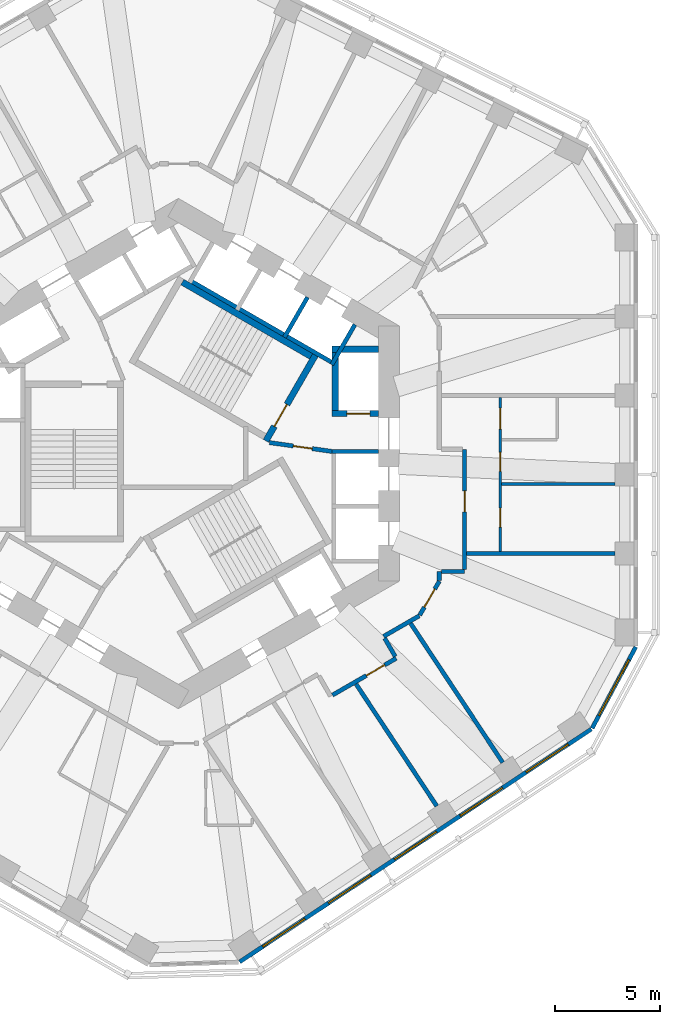
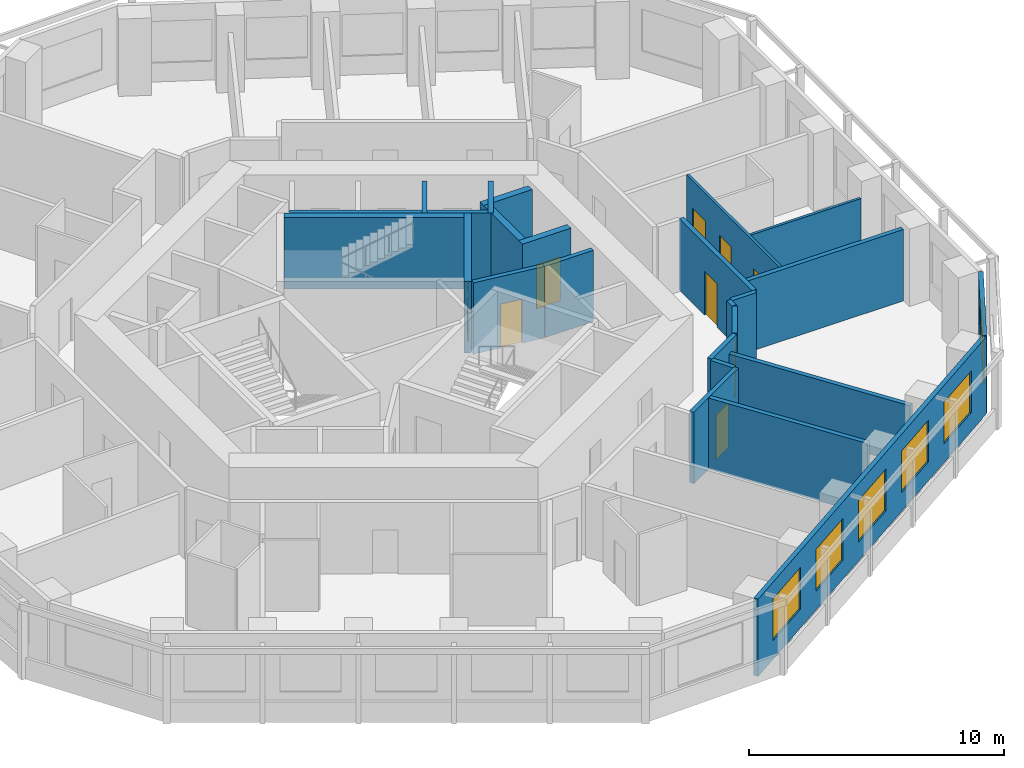
# One storey, part 6 of 11: 24 walls, 9 doors, 6 windows, 15 openings.
"""IFC4 building model written with IfcOpenShell, lengths in metres."""

import ifcopenshell
import ifcopenshell.guid

model = None  # the IFC model being written
_history = None  # IfcOwnerHistory: only IFC2X3 demands one
_inside = {}  # id of a spatial element -> (the spatial element, [elements in it])
_under = {}  # id of a project, library or spatial element -> (it, [spatial elements below it])
_declared = {}  # id of a project -> (the project, [libraries it declares])
_typed = {}  # id of a type object -> (the type object, [elements of that type])
_made_of = {}  # id of a material, layer set ... -> (it, [elements and type objects made of it])


def new_model(schema):
    """Start an empty IFC model of exactly this schema.

    Asked for "IFC4X3", IfcOpenShell would pick the latest addendum, in which some entities
    have other attributes; the version numbers below select the first issue.
    IFC2X3 requires an IfcOwnerHistory on every rooted entity: one is made here for all.
    """
    global model, _history
    if schema == "IFC4X3":
        model = ifcopenshell.file(schema_version=(4, 3, 0, 0))
    else:
        model = ifcopenshell.file(schema=schema)
    _inside.clear()
    _under.clear()
    _declared.clear()
    _typed.clear()
    _made_of.clear()
    _history = None
    if model.schema == "IFC2X3":
        org = make("IfcOrganization", Name="unknown")
        user = make(
            "IfcPersonAndOrganization",
            ThePerson=make("IfcPerson", FamilyName="unknown"),
            TheOrganization=org,
        )
        app = make(
            "IfcApplication",
            ApplicationDeveloper=org,
            Version="unknown",
            ApplicationFullName="unknown",
            ApplicationIdentifier="unknown",
        )
        _history = make(
            "IfcOwnerHistory",
            OwningUser=user,
            OwningApplication=app,
            ChangeAction="ADDED",
            CreationDate=0,
        )
    return model


def make(cls, **values):
    """One entity of the class cls with the attributes given. An attribute that is None is left unset."""
    return model.create_entity(
        cls, **{name: value for name, value in values.items() if value is not None}
    )


def rooted(cls, **values):
    """An entity with a GlobalId (a new one), such as an element, a storey or a relation."""
    return make(cls, GlobalId=ifcopenshell.guid.new(), OwnerHistory=_history, **values)


def si_unit(unit_type, name, prefix=None):
    """IfcSIUnit, for example si_unit("LENGTHUNIT", "METRE", prefix="MILLI")."""
    return make("IfcSIUnit", UnitType=unit_type, Prefix=prefix, Name=name)


def assignment(units):
    """IfcUnitAssignment: the units of a project."""
    return None if units is None else make("IfcUnitAssignment", Units=units)


def point(xyz):
    """IfcCartesianPoint."""
    return None if xyz is None else make("IfcCartesianPoint", Coordinates=xyz)


def direction(xyz):
    """IfcDirection."""
    return None if xyz is None else make("IfcDirection", DirectionRatios=xyz)


def frame(location, z_axis=None, x_axis=None):
    """IfcAxis2Placement3D, a coordinate frame: its origin and axes. An axis left out is left unset."""
    return make(
        "IfcAxis2Placement3D",
        Location=point(location),
        Axis=direction(z_axis),
        RefDirection=direction(x_axis),
    )


def frame_2d(location, x_axis=None):
    """IfcAxis2Placement2D, a coordinate frame in the plane: its origin and x axis."""
    return make(
        "IfcAxis2Placement2D", Location=point(location), RefDirection=direction(x_axis)
    )


def origin():
    """The frame at (0, 0, 0) with its axes left unset."""
    return frame((0.0, 0.0, 0.0))


def place(relative_to, where):
    """IfcLocalPlacement: puts the frame where relative to a parent placement (None: the world)."""
    return make(
        "IfcLocalPlacement", PlacementRelTo=relative_to, RelativePlacement=where
    )


def context(
    kind, dimensions, precision=None, world=None, true_north=None, identifier=None
):
    """IfcGeometricRepresentationContext, for example the 3D "Model" context."""
    return make(
        "IfcGeometricRepresentationContext",
        ContextIdentifier=identifier,
        ContextType=kind,
        CoordinateSpaceDimension=dimensions,
        Precision=precision,
        WorldCoordinateSystem=world,
        TrueNorth=true_north,
    )


def subcontext(parent, identifier, kind, view, scale=None):
    """IfcGeometricRepresentationSubContext, for example "Body" below "Model"."""
    return make(
        "IfcGeometricRepresentationSubContext",
        ContextIdentifier=identifier,
        ContextType=kind,
        ParentContext=parent,
        TargetScale=scale,
        TargetView=view,
    )


def project(units=None, contexts=None):
    """IfcProject with its units and contexts."""
    return rooted(
        "IfcProject",
        Name="project",
        RepresentationContexts=contexts,
        UnitsInContext=assignment(units),
    )


def spatial(cls, under=None, at=None, **own):
    """A site, building, storey or space (cls), placed at a placement, below another one or the project."""
    s = rooted(cls, ObjectPlacement=at, **own)
    if under is not None:
        _under.setdefault(under.id(), (under, []))[1].append(s)
    return s


def profile(cls, at=None, kind="AREA", **sizes):
    """A parametric profile (cls). Its sizes go by their IFC names, for example OverallWidth=200.0."""
    return make(cls, ProfileType=kind, Position=at, **sizes)


def rectangle(**sizes):
    """IfcRectangleProfileDef."""
    return profile("IfcRectangleProfileDef", **sizes)


def extrude(swept, where, along, depth):
    """IfcExtrudedAreaSolid: the profile swept, set in the frame where, extruded along a direction by depth."""
    return make(
        "IfcExtrudedAreaSolid",
        SweptArea=swept,
        Position=where,
        ExtrudedDirection=direction(along),
        Depth=depth,
    )


def shape(context_of_items, identifier, shape_type, items):
    """IfcShapeRepresentation: the items that make up one representation, for example the "Body"."""
    return make(
        "IfcShapeRepresentation",
        ContextOfItems=context_of_items,
        RepresentationIdentifier=identifier,
        RepresentationType=shape_type,
        Items=items,
    )


def material(Name=None, Category=None):
    """IfcMaterial."""
    return make("IfcMaterial", Name=Name, Category=Category)


def layer(
    of_material, thickness, ventilated=None, Name=None, Category=None, Priority=None
):
    """IfcMaterialLayer: one layer of a wall or slab, of a material (None: an air gap)."""
    return make(
        "IfcMaterialLayer",
        Material=of_material,
        LayerThickness=thickness,
        IsVentilated=ventilated,
        Name=Name,
        Category=Category,
        Priority=Priority,
    )


def layer_set(layers, Name=None):
    """IfcMaterialLayerSet."""
    return make("IfcMaterialLayerSet", MaterialLayers=layers, LayerSetName=Name)


def made_of(thing, what):
    """Note that an element or type object is made of a material, layer set ...; save() writes the relation."""
    if what is not None:
        _made_of.setdefault(what.id(), (what, []))[1].append(thing)
    return thing


def type_object(cls, material=None, **own):
    """A type object (cls), such as IfcWallType, which elements share."""
    return made_of(rooted(cls, **own), material)


def element(
    cls,
    number,
    at=None,
    inside=None,
    cuts=None,
    type_object=None,
    material=None,
    context=None,
    identifier="Body",
    shape_type=None,
    held_by="IfcProductDefinitionShape",
    body=None,
    shapes=None,
    **own,
):
    """One element of the class cls, such as IfcWall. Its Tag is "e" and its number.

    at: its placement. inside: the storey or other place that contains it. cuts: it is an
    opening in that element (IfcRelVoidsElement). A single representation is given by context,
    identifier, shape_type and body (its items); several are given by shapes. held_by: the class
    of the entity that holds the representations. save() writes the other relations.
    """
    e = rooted(cls, Tag="e%d" % number, ObjectPlacement=at, **own)
    if body is not None:
        shapes = [shape(context, identifier, shape_type, body)]
    if shapes is not None:
        e.Representation = make(held_by, Representations=shapes)
    if inside is not None:
        _inside.setdefault(inside.id(), (inside, []))[1].append(e)
    if cuts is not None:
        rooted(
            "IfcRelVoidsElement", RelatingBuildingElement=cuts, RelatedOpeningElement=e
        )
    if type_object is not None:
        _typed.setdefault(type_object.id(), (type_object, []))[1].append(e)
    return made_of(e, material)


def fill(opening, filler):
    """IfcRelFillsElement: the door or window that sits in an opening."""
    return rooted(
        "IfcRelFillsElement",
        RelatingOpeningElement=opening,
        RelatedBuildingElement=filler,
    )


def aggregate(whole, parts):
    """IfcRelAggregates: a whole, such as a stair, and the parts it consists of."""
    return rooted("IfcRelAggregates", RelatingObject=whole, RelatedObjects=parts)


def save(model, path):
    """Write the relations noted so far, then the file.

    IfcRelAggregates (storeys below a building ...), IfcRelContainedInSpatialStructure (elements
    in a storey), IfcRelDefinesByType, IfcRelAssociatesMaterial and IfcRelDeclares: one each for
    every whole, place, type object, material and project.
    """
    for whole, parts in _under.values():
        aggregate(whole, parts)
    for where, things in _inside.values():
        rooted(
            "IfcRelContainedInSpatialStructure",
            RelatedElements=things,
            RelatingStructure=where,
        )
    for kind, things in _typed.values():
        rooted("IfcRelDefinesByType", RelatedObjects=things, RelatingType=kind)
    for what, things in _made_of.values():
        rooted("IfcRelAssociatesMaterial", RelatedObjects=things, RelatingMaterial=what)
    for by, libraries in _declared.values():
        rooted("IfcRelDeclares", RelatingContext=by, RelatedDefinitions=libraries)
    model.write(path)


model = new_model("IFC4")

# Units and contexts
model_context = context("Model", 3, precision=1e-05, world=origin(), true_north=direction((0.0, 1.0)))
body_context = subcontext(model_context, "Body", "Model", "MODEL_VIEW")
ifc_project = project(units=[si_unit("LENGTHUNIT", "METRE"), si_unit("AREAUNIT", "SQUARE_METRE"), si_unit("VOLUMEUNIT", "CUBIC_METRE"), si_unit("PLANEANGLEUNIT", "RADIAN"), si_unit("MASSUNIT", "GRAM", prefix="KILO")], contexts=[model_context])

# Site, building, storey
site_placement = place(None, origin())
site = spatial("IfcSite", under=ifc_project, at=site_placement, CompositionType="ELEMENT")
building_placement = place(site_placement, origin())
building = spatial("IfcBuilding", under=site, at=building_placement, Name="Vanh Sen Convention Tower", CompositionType="ELEMENT")
storey_placement = place(building_placement, frame((0.0, 0.0, 131.800048828125)))
storey = spatial("IfcBuildingStorey", under=building, at=storey_placement, Name="L32", CompositionType="ELEMENT", Elevation=131.800048828125)

# Wall, openings, doors
ifc_material_1 = material(Name="Moisture-resistant gypsum board on steel studs", Category="steel")
ifc_layer_1 = layer(ifc_material_1, 0.1201171875)
ifc_layer_set_1 = layer_set([ifc_layer_1], Name="Moisture-resistant gypsum board on steel studs")
wall_type_1 = type_object("IfcWallType", Name="Bathroom partition 120", PredefinedType="PARTITIONING", material=ifc_layer_set_1)
wall_1_placement = place(storey_placement, frame((15.301025390625, -4.64697265625, 0.0), z_axis=(0.0, 0.0, 1.0), x_axis=(0.0, 1.0, 0.0)))
wall_1 = element("IfcWall", 1, at=wall_1_placement, inside=storey, type_object=wall_type_1, Name="Bathroom partition 120", PredefinedType="PARTITIONING", context=body_context, shape_type="SweptSolid", body=[
    extrude(rectangle(XDim=7.308349609375, YDim=0.1201171875, at=frame_2d((3.654296875, 0.0))), origin(), (0.0, 0.0, 1.0), 3.419921875),
])
opening_1_placement = place(wall_1_placement, frame((5.80810546875, 0.0, 0.0)))
opening_1 = element("IfcOpeningElement", 2, at=opening_1_placement, cuts=wall_1, Name="Opening D32102", PredefinedType="OPENING", context=body_context, shape_type="SweptSolid", body=[
    extrude(rectangle(XDim=1.0, YDim=2.10009765625, at=frame_2d((0.5, 1.050048828125))), frame((0.0, 0.070068359375, 0.0), z_axis=(0.0, -1.0, 0.0), x_axis=(1.0, 0.0, 0.0)), (0.0, 0.0, 1.0), 0.14013671875),
])
opening_2_placement = place(wall_1_placement, frame((1.14990234375, 0.0, 0.0)))
opening_2 = element("IfcOpeningElement", 3, at=opening_2_placement, cuts=wall_1, Name="Opening D32103", PredefinedType="OPENING", context=body_context, shape_type="SweptSolid", body=[
    extrude(rectangle(XDim=0.89990234375, YDim=2.10009765625, at=frame_2d((0.449951171875, 1.050048828125))), frame((0.0, 0.070068359375, 0.0), z_axis=(0.0, -1.0, 0.0), x_axis=(1.0, 0.0, 0.0)), (0.0, 0.0, 1.0), 0.14013671875),
])
opening_3_placement = place(wall_1_placement, frame((3.80419921875, 0.0, 0.0)))
opening_3 = element("IfcOpeningElement", 4, at=opening_3_placement, cuts=wall_1, Name="Opening D32104", PredefinedType="OPENING", context=body_context, shape_type="SweptSolid", body=[
    extrude(rectangle(XDim=0.89990234375, YDim=2.10009765625, at=frame_2d((0.449951171875, 1.050048828125))), frame((0.0, 0.070068359375, 0.0), z_axis=(0.0, -1.0, 0.0), x_axis=(1.0, 0.0, 0.0)), (0.0, 0.0, 1.0), 0.14013671875),
])
ifc_material_2 = material(Name="Laminate door in steel frame", Category="steel")
door_type_1 = type_object("IfcDoorType", Name="Accessible WC door 1000", OperationType="SINGLE_SWING_LEFT", PredefinedType="DOOR", material=ifc_material_2)
door_1_placement = place(opening_1_placement, origin())
door_1 = element("IfcDoor", 5, at=door_1_placement, inside=storey, type_object=door_type_1, Name="Accessible WC door D32102", OperationType="SINGLE_SWING_LEFT", OverallHeight=2.10009765625, OverallWidth=1.0, PredefinedType="DOOR", context=body_context, shape_type="SweptSolid", body=[
    extrude(rectangle(XDim=1.0, YDim=2.10009765625, at=frame_2d((0.5, 1.050048828125))), frame((0.0, 0.02490234375, 0.0), z_axis=(0.0, -1.0, 0.0), x_axis=(1.0, 0.0, 0.0)), (0.0, 0.0, 1.0), 0.050048828125),
])
fill(opening_1, door_1)
door_type_2 = type_object("IfcDoorType", Name="Room internal door 900", OperationType="SINGLE_SWING_LEFT", PredefinedType="DOOR", material=ifc_material_2)
door_2_placement = place(opening_2_placement, origin())
door_2 = element("IfcDoor", 6, at=door_2_placement, inside=storey, type_object=door_type_2, Name="Internal room door D32103", OperationType="SINGLE_SWING_LEFT", OverallHeight=2.10009765625, OverallWidth=0.89990234375, PredefinedType="DOOR", context=body_context, shape_type="SweptSolid", body=[
    extrude(rectangle(XDim=0.89990234375, YDim=2.10009765625, at=frame_2d((0.449951171875, 1.050048828125))), frame((0.0, 0.02490234375, 0.0), z_axis=(0.0, -1.0, 0.0), x_axis=(1.0, 0.0, 0.0)), (0.0, 0.0, 1.0), 0.050048828125),
])
fill(opening_2, door_2)
door_3_placement = place(opening_3_placement, origin())
door_3 = element("IfcDoor", 7, at=door_3_placement, inside=storey, type_object=door_type_2, Name="Internal room door D32104", OperationType="SINGLE_SWING_LEFT", OverallHeight=2.10009765625, OverallWidth=0.89990234375, PredefinedType="DOOR", context=body_context, shape_type="SweptSolid", body=[
    extrude(rectangle(XDim=0.89990234375, YDim=2.10009765625, at=frame_2d((0.449951171875, 1.050048828125))), frame((0.0, 0.02490234375, 0.0), z_axis=(0.0, -1.0, 0.0), x_axis=(1.0, 0.0, 0.0)), (0.0, 0.0, 1.0), 0.050048828125),
])
fill(opening_3, door_3)

# Wall
wall_2_placement = place(storey_placement, frame((20.75, -1.447021484375, 0.0), z_axis=(0.0, 0.0, 1.0), x_axis=(-1.0, 0.0, 0.0)))
element("IfcWall", 8, at=wall_2_placement, inside=storey, type_object=wall_type_1, Name="Bathroom partition 120", PredefinedType="PARTITIONING", context=body_context, shape_type="SweptSolid", body=[
    extrude(rectangle(XDim=5.388916015625, YDim=0.1201171875, at=frame_2d((2.6943359375, 0.0))), origin(), (0.0, 0.0, 1.0), 2.869873046875),
])

# Wall, opening, door
ifc_material_3 = material(Name="Gypsum board on steel studs with mineral wool", Category="steel")
ifc_layer_2 = layer(ifc_material_3, 0.199951171875)
ifc_layer_set_2 = layer_set([ifc_layer_2], Name="Gypsum board on steel studs with mineral wool")
wall_type_2 = type_object("IfcWallType", Name="Corridor partition wall 200", PredefinedType="PARTITIONING", material=ifc_layer_set_2)
wall_3_placement = place(storey_placement, frame((7.319091796875, -11.479248046875, 0.0), z_axis=(0.0, 0.0, 1.0), x_axis=(0.866038154057, 0.49997791523, 0.0)))
wall_3 = element("IfcWall", 9, at=wall_3_placement, inside=storey, type_object=wall_type_2, Name="Corridor partition wall 200", PredefinedType="PARTITIONING", context=body_context, shape_type="SweptSolid", body=[
    extrude(rectangle(XDim=3.502197265625, YDim=0.199951171875, at=frame_2d((1.7509765625, 0.0))), origin(), (0.0, 0.0, 1.0), 3.419921875),
])
opening_4_placement = place(wall_3_placement, frame((1.86474609375, 0.0, 0.0)))
opening_4 = element("IfcOpeningElement", 10, at=opening_4_placement, cuts=wall_3, Name="Opening D32129", PredefinedType="OPENING", context=body_context, shape_type="SweptSolid", body=[
    extrude(rectangle(XDim=1.0, YDim=2.10009765625, at=frame_2d((0.5, 1.050048828125))), frame((0.0, 0.10986328125, 0.0), z_axis=(0.0, -1.0, 0.0), x_axis=(1.0, 0.0, 0.0)), (0.0, 0.0, 1.0), 0.219970703125),
])
ifc_material_4 = material(Name="Glazed fire door in steel frame", Category="steel")
door_type_3 = type_object("IfcDoorType", Name="Tenant entrance door 1000", OperationType="SINGLE_SWING_LEFT", PredefinedType="DOOR", material=ifc_material_4)
door_4_placement = place(opening_4_placement, origin())
door_4 = element("IfcDoor", 11, at=door_4_placement, inside=storey, type_object=door_type_3, Name="Tenant suite entrance door D32129", OperationType="SINGLE_SWING_LEFT", OverallHeight=2.10009765625, OverallWidth=1.0, PredefinedType="DOOR", context=body_context, shape_type="SweptSolid", body=[
    extrude(rectangle(XDim=1.0, YDim=2.10009765625, at=frame_2d((0.5, 1.050048828125))), frame((0.0, 0.02490234375, 0.0), z_axis=(0.0, -1.0, 0.0), x_axis=(1.0, 0.0, 0.0)), (0.0, 0.0, 1.0), 0.050048828125),
])
fill(opening_4, door_4)

# Walls
wall_4_placement = place(storey_placement, frame((9.751708984375, -8.688232421875, 0.0), z_axis=(0.0, 0.0, 1.0), x_axis=(0.865974105138, 0.500088841337, 0.0)))
element("IfcWall", 12, at=wall_4_placement, inside=storey, type_object=wall_type_2, Name="Corridor partition wall 200", PredefinedType="PARTITIONING", context=body_context, shape_type="SweptSolid", body=[
    extrude(rectangle(XDim=1.961181640625, YDim=0.199951171875, at=frame_2d((0.98046875, 0.0))), origin(), (0.0, 0.0, 1.0), 3.419921875),
])
wall_5_placement = place(storey_placement, frame((10.302001953125, -9.6416015625, 0.0), z_axis=(0.0, 0.0, 1.0), x_axis=(-0.500074377092, 0.865982457891, 0.0)))
element("IfcWall", 13, at=wall_5_placement, inside=storey, type_object=wall_type_2, Name="Corridor partition wall 200", PredefinedType="PARTITIONING", context=body_context, shape_type="SweptSolid", body=[
    extrude(rectangle(XDim=1.000732421875, YDim=0.199951171875, at=frame_2d((0.50048828125, 0.0))), origin(), (0.0, 0.0, 1.0), 3.419921875),
])

# Wall, opening, door
wall_6_placement = place(storey_placement, frame((11.469970703125, -7.673095703125, 0.0), z_axis=(0.0, 0.0, 1.0), x_axis=(0.499964847546, 0.866045698112, 0.0)))
wall_6 = element("IfcWall", 14, at=wall_6_placement, inside=storey, type_object=wall_type_2, Name="Corridor partition wall 200", PredefinedType="PARTITIONING", context=body_context, shape_type="SweptSolid", body=[
    extrude(rectangle(XDim=1.860107421875, YDim=0.199951171875, at=frame_2d((0.93017578125, 0.0))), origin(), (0.0, 0.0, 1.0), 3.419921875),
])
opening_5_placement = place(wall_6_placement, frame((0.429931640625, 0.0, 0.0)))
opening_5 = element("IfcOpeningElement", 15, at=opening_5_placement, cuts=wall_6, Name="Opening D32130", PredefinedType="OPENING", context=body_context, shape_type="SweptSolid", body=[
    extrude(rectangle(XDim=1.0, YDim=2.10009765625, at=frame_2d((0.5, 1.050048828125))), frame((0.0, 0.10986328125, 0.0), z_axis=(0.0, -1.0, 0.0), x_axis=(1.0, 0.0, 0.0)), (0.0, 0.0, 1.0), 0.219970703125),
])
door_5_placement = place(opening_5_placement, origin())
door_5 = element("IfcDoor", 16, at=door_5_placement, inside=storey, type_object=door_type_3, Name="Tenant suite entrance door D32130", OperationType="SINGLE_SWING_LEFT", OverallHeight=2.10009765625, OverallWidth=1.0, PredefinedType="DOOR", context=body_context, shape_type="SweptSolid", body=[
    extrude(rectangle(XDim=1.0, YDim=2.10009765625, at=frame_2d((0.5, 1.050048828125))), frame((0.0, 0.02490234375, 0.0), z_axis=(0.0, -1.0, 0.0), x_axis=(1.0, 0.0, 0.0)), (0.0, 0.0, 1.0), 0.050048828125),
])
fill(opening_5, door_5)

# Walls
wall_7_placement = place(storey_placement, frame((12.39990234375, -6.022216796875, 0.0), z_axis=(0.0, 0.0, 1.0), x_axis=(0.0, 1.0, 0.0)))
element("IfcWall", 17, at=wall_7_placement, inside=storey, type_object=wall_type_2, Name="Corridor partition wall 200", PredefinedType="PARTITIONING", context=body_context, shape_type="SweptSolid", body=[
    extrude(rectangle(XDim=0.421142578125, YDim=0.199951171875, at=frame_2d((0.21044921875, 0.0))), origin(), (0.0, 0.0, 1.0), 3.419921875),
])
wall_8_placement = place(storey_placement, frame((12.5, -5.60107421875, 0.0), z_axis=(0.0, 0.0, 1.0), x_axis=(1.0, 0.0, 0.0)))
element("IfcWall", 18, at=wall_8_placement, inside=storey, type_object=wall_type_2, Name="Corridor partition wall 200", PredefinedType="PARTITIONING", context=body_context, shape_type="SweptSolid", body=[
    extrude(rectangle(XDim=1.10107421875, YDim=0.199951171875, at=frame_2d((0.550537109375, 0.0))), origin(), (0.0, 0.0, 1.0), 3.419921875),
])

# Wall, opening, door
wall_9_placement = place(storey_placement, frame((13.60107421875, -5.5009765625, 0.0), z_axis=(0.0, 0.0, 1.0), x_axis=(0.0, 1.0, 0.0)))
wall_9 = element("IfcWall", 19, at=wall_9_placement, inside=storey, type_object=wall_type_2, Name="Corridor partition wall 200", PredefinedType="PARTITIONING", context=body_context, shape_type="SweptSolid", body=[
    extrude(rectangle(XDim=5.701904296875, YDim=0.199951171875, at=frame_2d((2.85107421875, 0.0))), origin(), (0.0, 0.0, 1.0), 3.419921875),
])
opening_6_placement = place(wall_9_placement, frame((2.72802734375, 0.0, 0.0)))
opening_6 = element("IfcOpeningElement", 20, at=opening_6_placement, cuts=wall_9, Name="Opening D32101", PredefinedType="OPENING", context=body_context, shape_type="SweptSolid", body=[
    extrude(rectangle(XDim=1.0, YDim=2.10009765625, at=frame_2d((0.5, 1.050048828125))), frame((0.0, 0.10986328125, 0.0), z_axis=(0.0, -1.0, 0.0), x_axis=(1.0, 0.0, 0.0)), (0.0, 0.0, 1.0), 0.219970703125),
])
ifc_material_5 = material(Name="Timber fire door in steel frame", Category="steel")
door_type_4 = type_object("IfcDoorType", Name="Floor room door 1000", OperationType="SINGLE_SWING_LEFT", PredefinedType="DOOR", material=ifc_material_5)
door_6_placement = place(opening_6_placement, origin())
door_6 = element("IfcDoor", 21, at=door_6_placement, inside=storey, type_object=door_type_4, Name="Meeting and amenity room door D32101", OperationType="SINGLE_SWING_LEFT", OverallHeight=2.10009765625, OverallWidth=1.0, PredefinedType="DOOR", context=body_context, shape_type="SweptSolid", body=[
    extrude(rectangle(XDim=1.0, YDim=2.10009765625, at=frame_2d((0.5, 1.050048828125))), frame((0.0, 0.02490234375, 0.0), z_axis=(0.0, -1.0, 0.0), x_axis=(1.0, 0.0, 0.0)), (0.0, 0.0, 1.0), 0.050048828125),
])
fill(opening_6, door_6)

# Wall, openings, windows
ifc_material_6 = material(Name="Insulated lightweight infill wall")
ifc_layer_3 = layer(ifc_material_6, 0.199951171875)
ifc_layer_set_3 = layer_set([ifc_layer_3], Name="Insulated lightweight infill wall")
wall_type_3 = type_object("IfcWallType", Name="External wall 200", PredefinedType="STANDARD", material=ifc_layer_set_3)
wall_10_placement = place(storey_placement, frame((2.910888671875, -24.156005859375, 0.0), z_axis=(0.0, 0.0, 1.0), x_axis=(0.833882163564, 0.551942512668, 0.0)))
wall_10 = element("IfcWall", 22, at=wall_10_placement, inside=storey, type_object=wall_type_3, Name="External wall SE L32", PredefinedType="STANDARD", context=body_context, shape_type="SweptSolid", body=[
    extrude(rectangle(XDim=20.043701171875, YDim=0.199951171875, at=frame_2d((10.02197265625, 0.0))), origin(), (0.0, 0.0, 1.0), 3.699951171875),
])
opening_7_placement = place(wall_10_placement, frame((1.312744140625, 0.0, 0.89990234375)))
opening_7 = element("IfcOpeningElement", 23, at=opening_7_placement, cuts=wall_10, Name="Opening WO1-SE1", PredefinedType="OPENING", context=body_context, shape_type="SweptSolid", body=[
    extrude(rectangle(XDim=2.39990234375, YDim=2.0, at=frame_2d((1.199951171875, 1.0))), frame((0.0, 0.10986328125, 0.0), z_axis=(0.0, -1.0, 0.0), x_axis=(1.0, 0.0, 0.0)), (0.0, 0.0, 1.0), 0.219970703125),
])
opening_8_placement = place(wall_10_placement, frame((5.06689453125, 0.0, 0.89990234375)))
opening_8 = element("IfcOpeningElement", 24, at=opening_8_placement, cuts=wall_10, Name="Opening WO1-SE2", PredefinedType="OPENING", context=body_context, shape_type="SweptSolid", body=[
    extrude(rectangle(XDim=2.39990234375, YDim=2.0, at=frame_2d((1.199951171875, 1.0))), frame((0.0, 0.10986328125, 0.0), z_axis=(0.0, -1.0, 0.0), x_axis=(1.0, 0.0, 0.0)), (0.0, 0.0, 1.0), 0.219970703125),
])
opening_9_placement = place(wall_10_placement, frame((8.82080078125, 0.0, 0.89990234375)))
opening_9 = element("IfcOpeningElement", 25, at=opening_9_placement, cuts=wall_10, Name="Opening WO1-SE3", PredefinedType="OPENING", context=body_context, shape_type="SweptSolid", body=[
    extrude(rectangle(XDim=2.39990234375, YDim=2.0, at=frame_2d((1.199951171875, 1.0))), frame((0.0, 0.10986328125, 0.0), z_axis=(0.0, -1.0, 0.0), x_axis=(1.0, 0.0, 0.0)), (0.0, 0.0, 1.0), 0.219970703125),
])
opening_10_placement = place(wall_10_placement, frame((12.5751953125, 0.0, 0.89990234375)))
opening_10 = element("IfcOpeningElement", 26, at=opening_10_placement, cuts=wall_10, Name="Opening WO1-SE4", PredefinedType="OPENING", context=body_context, shape_type="SweptSolid", body=[
    extrude(rectangle(XDim=2.39990234375, YDim=2.0, at=frame_2d((1.199951171875, 1.0))), frame((0.0, 0.10986328125, 0.0), z_axis=(0.0, -1.0, 0.0), x_axis=(1.0, 0.0, 0.0)), (0.0, 0.0, 1.0), 0.219970703125),
])
opening_11_placement = place(wall_10_placement, frame((16.3291015625, 0.0, 0.89990234375)))
opening_11 = element("IfcOpeningElement", 27, at=opening_11_placement, cuts=wall_10, Name="Opening WO1-SE5", PredefinedType="OPENING", context=body_context, shape_type="SweptSolid", body=[
    extrude(rectangle(XDim=2.39990234375, YDim=2.0, at=frame_2d((1.199951171875, 1.0))), frame((0.0, 0.10986328125, 0.0), z_axis=(0.0, -1.0, 0.0), x_axis=(1.0, 0.0, 0.0)), (0.0, 0.0, 1.0), 0.219970703125),
])
ifc_material_7 = material(Name="Aluminium frame with clear low-emissivity glass", Category="aluminium")
window_type_1 = type_object("IfcWindowType", Name="Office window 2400 x 2000", PartitioningType="SINGLE_PANEL", PredefinedType="WINDOW", material=ifc_material_7)
window_1_placement = place(opening_7_placement, origin())
window_1 = element("IfcWindow", 28, at=window_1_placement, inside=storey, type_object=window_type_1, Name="Window WO1-SE1", OverallHeight=2.0, OverallWidth=2.39990234375, PartitioningType="SINGLE_PANEL", PredefinedType="WINDOW", context=body_context, shape_type="SweptSolid", body=[
    extrude(rectangle(XDim=2.39990234375, YDim=2.0, at=frame_2d((1.199951171875, 1.0))), frame((0.0, 0.030029296875, 0.0), z_axis=(0.0, -1.0, 0.0), x_axis=(1.0, 0.0, 0.0)), (0.0, 0.0, 1.0), 0.06005859375),
])
fill(opening_7, window_1)
window_2_placement = place(opening_8_placement, origin())
window_2 = element("IfcWindow", 29, at=window_2_placement, inside=storey, type_object=window_type_1, Name="Window WO1-SE2", OverallHeight=2.0, OverallWidth=2.39990234375, PartitioningType="SINGLE_PANEL", PredefinedType="WINDOW", context=body_context, shape_type="SweptSolid", body=[
    extrude(rectangle(XDim=2.39990234375, YDim=2.0, at=frame_2d((1.199951171875, 1.0))), frame((0.0, 0.030029296875, 0.0), z_axis=(0.0, -1.0, 0.0), x_axis=(1.0, 0.0, 0.0)), (0.0, 0.0, 1.0), 0.06005859375),
])
fill(opening_8, window_2)
window_3_placement = place(opening_9_placement, origin())
window_3 = element("IfcWindow", 30, at=window_3_placement, inside=storey, type_object=window_type_1, Name="Window WO1-SE3", OverallHeight=2.0, OverallWidth=2.39990234375, PartitioningType="SINGLE_PANEL", PredefinedType="WINDOW", context=body_context, shape_type="SweptSolid", body=[
    extrude(rectangle(XDim=2.39990234375, YDim=2.0, at=frame_2d((1.199951171875, 1.0))), frame((0.0, 0.030029296875, 0.0), z_axis=(0.0, -1.0, 0.0), x_axis=(1.0, 0.0, 0.0)), (0.0, 0.0, 1.0), 0.06005859375),
])
fill(opening_9, window_3)
window_4_placement = place(opening_10_placement, origin())
window_4 = element("IfcWindow", 31, at=window_4_placement, inside=storey, type_object=window_type_1, Name="Window WO1-SE4", OverallHeight=2.0, OverallWidth=2.39990234375, PartitioningType="SINGLE_PANEL", PredefinedType="WINDOW", context=body_context, shape_type="SweptSolid", body=[
    extrude(rectangle(XDim=2.39990234375, YDim=2.0, at=frame_2d((1.199951171875, 1.0))), frame((0.0, 0.030029296875, 0.0), z_axis=(0.0, -1.0, 0.0), x_axis=(1.0, 0.0, 0.0)), (0.0, 0.0, 1.0), 0.06005859375),
])
fill(opening_10, window_4)
window_5_placement = place(opening_11_placement, origin())
window_5 = element("IfcWindow", 32, at=window_5_placement, inside=storey, type_object=window_type_1, Name="Window WO1-SE5", OverallHeight=2.0, OverallWidth=2.39990234375, PartitioningType="SINGLE_PANEL", PredefinedType="WINDOW", context=body_context, shape_type="SweptSolid", body=[
    extrude(rectangle(XDim=2.39990234375, YDim=2.0, at=frame_2d((1.199951171875, 1.0))), frame((0.0, 0.030029296875, 0.0), z_axis=(0.0, -1.0, 0.0), x_axis=(1.0, 0.0, 0.0)), (0.0, 0.0, 1.0), 0.06005859375),
])
fill(opening_11, window_5)

# Wall, opening, window
wall_11_placement = place(storey_placement, frame((19.657958984375, -13.05712890625, 0.0), z_axis=(0.0, 0.0, 1.0), x_axis=(0.473307879841, 0.880897071672, 0.0)))
wall_11 = element("IfcWall", 33, at=wall_11_placement, inside=storey, type_object=wall_type_3, Name="External wall CH6 L32", PredefinedType="STANDARD", context=body_context, shape_type="SweptSolid", body=[
    extrude(rectangle(XDim=4.394775390625, YDim=0.199951171875, at=frame_2d((2.197265625, 0.0))), origin(), (0.0, 0.0, 1.0), 3.699951171875),
])
opening_12_placement = place(wall_11_placement, frame((0.697509765625, 0.0, 0.89990234375)))
opening_12 = element("IfcOpeningElement", 34, at=opening_12_placement, cuts=wall_11, Name="Opening WO2-CH61", PredefinedType="OPENING", context=body_context, shape_type="SweptSolid", body=[
    extrude(rectangle(XDim=3.0, YDim=2.0, at=frame_2d((1.5, 1.0))), frame((0.0, 0.10986328125, 0.0), z_axis=(0.0, -1.0, 0.0), x_axis=(1.0, 0.0, 0.0)), (0.0, 0.0, 1.0), 0.219970703125),
])
window_type_2 = type_object("IfcWindowType", Name="Office window 3000 x 2000", PartitioningType="SINGLE_PANEL", PredefinedType="WINDOW", material=ifc_material_7)
window_6_placement = place(opening_12_placement, origin())
window_6 = element("IfcWindow", 35, at=window_6_placement, inside=storey, type_object=window_type_2, Name="Window WO2-CH61", OverallHeight=2.0, OverallWidth=3.0, PartitioningType="SINGLE_PANEL", PredefinedType="WINDOW", context=body_context, shape_type="SweptSolid", body=[
    extrude(rectangle(XDim=3.0, YDim=2.0, at=frame_2d((1.5, 1.0))), frame((0.0, 0.030029296875, 0.0), z_axis=(0.0, -1.0, 0.0), x_axis=(1.0, 0.0, 0.0)), (0.0, 0.0, 1.0), 0.06005859375),
])
fill(opening_12, window_6)

# Wall, opening, door
ifc_material_8 = material(Name="Concrete C60/75", Category="concrete")
ifc_layer_4 = layer(ifc_material_8, 0.300048828125)
ifc_layer_set_4 = layer_set([ifc_layer_4], Name="Concrete C60/75")
wall_type_4 = type_object("IfcWallType", Name="Fire-fighting lift shaft wall 300", PredefinedType="SHEAR", material=ifc_layer_set_4)
wall_12_placement = place(storey_placement, frame((7.300048828125, 1.89990234375, 0.0), z_axis=(0.0, 0.0, 1.0), x_axis=(1.0, 0.0, 0.0)))
wall_12 = element("IfcWall", 36, at=wall_12_placement, inside=storey, type_object=wall_type_4, Name="Fire-fighting lift shaft wall L32", PredefinedType="SHEAR", context=body_context, shape_type="SweptSolid", body=[
    extrude(rectangle(XDim=2.199951171875, YDim=0.300048828125, at=frame_2d((1.10009765625, 0.0))), origin(), (0.0, 0.0, 1.0), 3.419921875),
])
opening_13_placement = place(wall_12_placement, frame((0.699951171875, 0.0, 0.0)))
opening_13 = element("IfcOpeningElement", 37, at=opening_13_placement, cuts=wall_12, Name="Opening LD-FF1", PredefinedType="OPENING", context=body_context, shape_type="SweptSolid", body=[
    extrude(rectangle(XDim=1.10009765625, YDim=2.10009765625, at=frame_2d((0.550048828125, 1.050048828125))), frame((0.0, 0.159912109375, 0.0), z_axis=(0.0, -1.0, 0.0), x_axis=(1.0, 0.0, 0.0)), (0.0, 0.0, 1.0), 0.320068359375),
])
ifc_material_9 = material(Name="Stainless steel", Category="steel")
door_type_5 = type_object("IfcDoorType", Name="Fire-fighting lift landing door 1100", OperationType="DOUBLE_DOOR_SLIDING", PredefinedType="DOOR", material=ifc_material_9)
door_7_placement = place(opening_13_placement, origin())
door_7 = element("IfcDoor", 38, at=door_7_placement, inside=storey, type_object=door_type_5, Name="Lift FF1 landing door LD-FF1", OperationType="DOUBLE_DOOR_SLIDING", OverallHeight=2.10009765625, OverallWidth=1.10009765625, PredefinedType="DOOR", context=body_context, shape_type="SweptSolid", body=[
    extrude(rectangle(XDim=1.10009765625, YDim=2.10009765625, at=frame_2d((0.550048828125, 1.050048828125))), frame((0.0, 0.02490234375, 0.0), z_axis=(0.0, -1.0, 0.0), x_axis=(1.0, 0.0, 0.0)), (0.0, 0.0, 1.0), 0.050048828125),
])
fill(opening_13, door_7)

# Walls
wall_13_placement = place(storey_placement, frame((7.449951171875, 1.75, 0.0), z_axis=(0.0, 0.0, 1.0), x_axis=(0.0, 1.0, 0.0)))
element("IfcWall", 39, at=wall_13_placement, inside=storey, type_object=wall_type_4, Name="Fire-fighting lift shaft wall L32", PredefinedType="SHEAR", context=body_context, shape_type="SweptSolid", body=[
    extrude(rectangle(XDim=3.35009765625, YDim=0.300048828125, at=frame_2d((1.675048828125, 0.0))), origin(), (0.0, 0.0, 1.0), 3.419921875),
])
wall_14_placement = place(storey_placement, frame((7.300048828125, 4.949951171875, 0.0), z_axis=(0.0, 0.0, 1.0), x_axis=(1.0, 0.0, 0.0)))
element("IfcWall", 40, at=wall_14_placement, inside=storey, type_object=wall_type_4, Name="Fire-fighting lift shaft wall L32", PredefinedType="SHEAR", context=body_context, shape_type="SweptSolid", body=[
    extrude(rectangle(XDim=2.199951171875, YDim=0.300048828125, at=frame_2d((1.10009765625, 0.0))), origin(), (0.0, 0.0, 1.0), 3.419921875),
])
ifc_material_10 = material(Name="Concrete C40/50", Category="concrete")
ifc_layer_5 = layer(ifc_material_10, 0.199951171875)
ifc_layer_set_5 = layer_set([ifc_layer_5], Name="Concrete C40/50")
wall_type_5 = type_object("IfcWallType", Name="Lift shaft wall 200", PredefinedType="PARTITIONING", material=ifc_layer_set_5)
wall_15_placement = place(storey_placement, frame((7.300048828125, 0.10009765625, 0.0), z_axis=(0.0, 0.0, 1.0), x_axis=(1.0, 0.0, 0.0)))
element("IfcWall", 41, at=wall_15_placement, inside=storey, type_object=wall_type_5, Name="Lift shaft wall L32", PredefinedType="PARTITIONING", context=body_context, shape_type="SweptSolid", body=[
    extrude(rectangle(XDim=2.199951171875, YDim=0.199951171875, at=frame_2d((1.10009765625, 0.0))), origin(), (0.0, 0.0, 1.0), 3.419921875),
])
wall_16_placement = place(storey_placement, frame((7.423828125, 4.258544921875, 0.0), z_axis=(0.0, 0.0, 1.0), x_axis=(-0.866026010844, 0.49999894854, 0.0)))
element("IfcWall", 42, at=wall_16_placement, inside=storey, type_object=wall_type_5, Name="Lift shaft wall L32", PredefinedType="PARTITIONING", context=body_context, shape_type="SweptSolid", body=[
    extrude(rectangle(XDim=8.0, YDim=0.199951171875, at=frame_2d((4.0, 0.0))), origin(), (0.0, 0.0, 1.0), 3.419921875),
])
for number, where, z_axis, x_axis, name in (
    (43, (7.287353515625, 4.221923828125, 0.0), (0.0, 0.0, 1.0), (0.499946605688, 0.86605622881, 0.0), "Lift shaft wall L32"),
    (44, (5.03564453125, 5.52197265625, 0.0), (0.0, 0.0, 1.0), (0.499946605688, 0.86605622881, 0.0), "Lift shaft wall L32"),
):
    element("IfcWall", number, at=place(storey_placement, frame(where, z_axis=z_axis, x_axis=x_axis)), inside=storey, type_object=wall_type_5, Name=name, PredefinedType="PARTITIONING", context=body_context, shape_type="SweptSolid", body=[
        extrude(rectangle(XDim=2.199951171875, YDim=0.199951171875, at=frame_2d((1.10009765625, 0.0))), origin(), (0.0, 0.0, 1.0), 3.419921875),
    ])

# Wall, opening, door
ifc_layer_6 = layer(ifc_material_10, 0.199951171875)
ifc_layer_set_6 = layer_set([ifc_layer_6], Name="Concrete C40/50")
wall_type_6 = type_object("IfcWallType", Name="Stair lobby wall 200", PredefinedType="PARTITIONING", material=ifc_layer_set_6)
wall_17_placement = place(storey_placement, frame((4.327392578125, 0.52099609375, 0.0), z_axis=(0.0, 0.0, 1.0), x_axis=(0.990124376366, -0.14019172346, 0.0)))
wall_17 = element("IfcWall", 45, at=wall_17_placement, inside=storey, type_object=wall_type_6, Name="Stair lobby wall L32", PredefinedType="PARTITIONING", context=body_context, shape_type="SweptSolid", body=[
    extrude(rectangle(XDim=3.002197265625, YDim=0.199951171875, at=frame_2d((1.5009765625, 0.0))), origin(), (0.0, 0.0, 1.0), 3.419921875),
])
opening_14_placement = place(wall_17_placement, frame((1.14990234375, 0.0, 0.0)))
opening_14 = element("IfcOpeningElement", 46, at=opening_14_placement, cuts=wall_17, Name="Opening D32007", PredefinedType="OPENING", context=body_context, shape_type="SweptSolid", body=[
    extrude(rectangle(XDim=0.89990234375, YDim=2.10009765625, at=frame_2d((0.449951171875, 1.050048828125))), frame((0.0, 0.10986328125, 0.0), z_axis=(0.0, -1.0, 0.0), x_axis=(1.0, 0.0, 0.0)), (0.0, 0.0, 1.0), 0.219970703125),
])
ifc_material_11 = material(Name="Steel S355", Category="steel")
door_type_6 = type_object("IfcDoorType", Name="Plant door 900", OperationType="SINGLE_SWING_LEFT", PredefinedType="DOOR", material=ifc_material_11)
door_8_placement = place(opening_14_placement, origin())
door_8 = element("IfcDoor", 47, at=door_8_placement, inside=storey, type_object=door_type_6, Name="Plant door D32007", OperationType="SINGLE_SWING_LEFT", OverallHeight=2.10009765625, OverallWidth=0.89990234375, PredefinedType="DOOR", context=body_context, shape_type="SweptSolid", body=[
    extrude(rectangle(XDim=0.89990234375, YDim=2.10009765625, at=frame_2d((0.449951171875, 1.050048828125))), frame((0.0, 0.02490234375, 0.0), z_axis=(0.0, -1.0, 0.0), x_axis=(1.0, 0.0, 0.0)), (0.0, 0.0, 1.0), 0.050048828125),
])
fill(opening_14, door_8)

ifc_layer_7 = layer(ifc_material_8, 0.300048828125)
ifc_layer_set_7 = layer_set([ifc_layer_7], Name="Concrete C60/75")
wall_type_7 = type_object("IfcWallType", Name="Stair wall 300", PredefinedType="SHEAR", material=ifc_layer_set_7)
wall_18_placement = place(storey_placement, frame((4.157958984375, 0.601806640625, 0.0), z_axis=(0.0, 0.0, 1.0), x_axis=(0.499977259774, 0.866038532462, 0.0)))
wall_18 = element("IfcWall", 48, at=wall_18_placement, inside=storey, type_object=wall_type_7, Name="Stair wall L32", PredefinedType="SHEAR", context=body_context, shape_type="SweptSolid", body=[
    extrude(rectangle(XDim=4.699951171875, YDim=0.300048828125, at=frame_2d((2.35009765625, 0.0))), origin(), (0.0, 0.0, 1.0), 3.419921875),
])
opening_15_placement = place(wall_18_placement, frame((0.800048828125, 0.0, 0.0)))
opening_15 = element("IfcOpeningElement", 49, at=opening_15_placement, cuts=wall_18, Name="Opening D32004", PredefinedType="OPENING", context=body_context, shape_type="SweptSolid", body=[
    extrude(rectangle(XDim=1.199951171875, YDim=2.10009765625, at=frame_2d((0.60009765625, 1.050048828125))), frame((0.0, 0.159912109375, 0.0), z_axis=(0.0, -1.0, 0.0), x_axis=(1.0, 0.0, 0.0)), (0.0, 0.0, 1.0), 0.320068359375),
])
door_type_7 = type_object("IfcDoorType", Name="Stair door 1200", OperationType="SINGLE_SWING_RIGHT", PredefinedType="DOOR", material=ifc_material_11)
door_9_placement = place(opening_15_placement, origin())
door_9 = element("IfcDoor", 50, at=door_9_placement, inside=storey, type_object=door_type_7, Name="Stair ST1 door D32004", OperationType="SINGLE_SWING_RIGHT", OverallHeight=2.10009765625, OverallWidth=1.199951171875, PredefinedType="DOOR", context=body_context, shape_type="SweptSolid", body=[
    extrude(rectangle(XDim=1.199951171875, YDim=2.10009765625, at=frame_2d((0.60009765625, 1.050048828125))), frame((0.0, 0.02490234375, 0.0), z_axis=(0.0, -1.0, 0.0), x_axis=(1.0, 0.0, 0.0)), (0.0, 0.0, 1.0), 0.050048828125),
])
fill(opening_15, door_9)

# Walls
wall_19_placement = place(storey_placement, frame((6.302978515625, 4.6171875, 0.0), z_axis=(0.0, 0.0, 1.0), x_axis=(-0.866027801685, 0.499995846692, 0.0)))
element("IfcWall", 51, at=wall_19_placement, inside=storey, type_object=wall_type_7, Name="Stair wall L32", PredefinedType="SHEAR", context=body_context, shape_type="SweptSolid", body=[
    extrude(rectangle(XDim=7.06005859375, YDim=0.300048828125, at=frame_2d((3.530029296875, 0.0))), origin(), (0.0, 0.0, 1.0), 3.419921875),
])
ifc_layer_8 = layer(ifc_material_3, 0.199951171875)
ifc_layer_set_8 = layer_set([ifc_layer_8], Name="Gypsum board on steel studs with mineral wool")
wall_type_8 = type_object("IfcWallType", Name="Tenant suite wall 200", PredefinedType="PARTITIONING", material=ifc_layer_set_8)
wall_20_placement = place(storey_placement, frame((12.280517578125, -16.755126953125, 0.0), z_axis=(0.0, 0.0, 1.0), x_axis=(-0.551925794663, 0.833893228888, 0.0)))
element("IfcWall", 52, at=wall_20_placement, inside=storey, type_object=wall_type_8, Name="Tenant suite wall 200", PredefinedType="PARTITIONING", context=body_context, shape_type="SweptSolid", body=[
    extrude(rectangle(XDim=6.95263671875, YDim=0.199951171875, at=frame_2d((3.476318359375, 0.0))), origin(), (0.0, 0.0, 1.0), 3.419921875),
])
wall_21_placement = place(storey_placement, frame((13.700927734375, -4.746826171875, 0.0), z_axis=(0.0, 0.0, 1.0), x_axis=(1.0, 0.0, 0.0)))
element("IfcWall", 53, at=wall_21_placement, inside=storey, type_object=wall_type_8, Name="Tenant suite wall 200", PredefinedType="PARTITIONING", context=body_context, shape_type="SweptSolid", body=[
    extrude(rectangle(XDim=7.049072265625, YDim=0.199951171875, at=frame_2d((3.5244140625, 0.0))), origin(), (0.0, 0.0, 1.0), 3.419921875),
])
wall_22_placement = place(storey_placement, frame((15.410888671875, -14.68310546875, 0.0), z_axis=(0.0, 0.0, 1.0), x_axis=(-0.551932106251, 0.833889051427, 0.0)))
element("IfcWall", 54, at=wall_22_placement, inside=storey, type_object=wall_type_8, Name="Tenant suite wall 200", PredefinedType="PARTITIONING", context=body_context, shape_type="SweptSolid", body=[
    extrude(rectangle(XDim=7.92626953125, YDim=0.199951171875, at=frame_2d((3.963134765625, 0.0))), origin(), (0.0, 0.0, 1.0), 2.869873046875),
])

save(model, "model.ifc")
